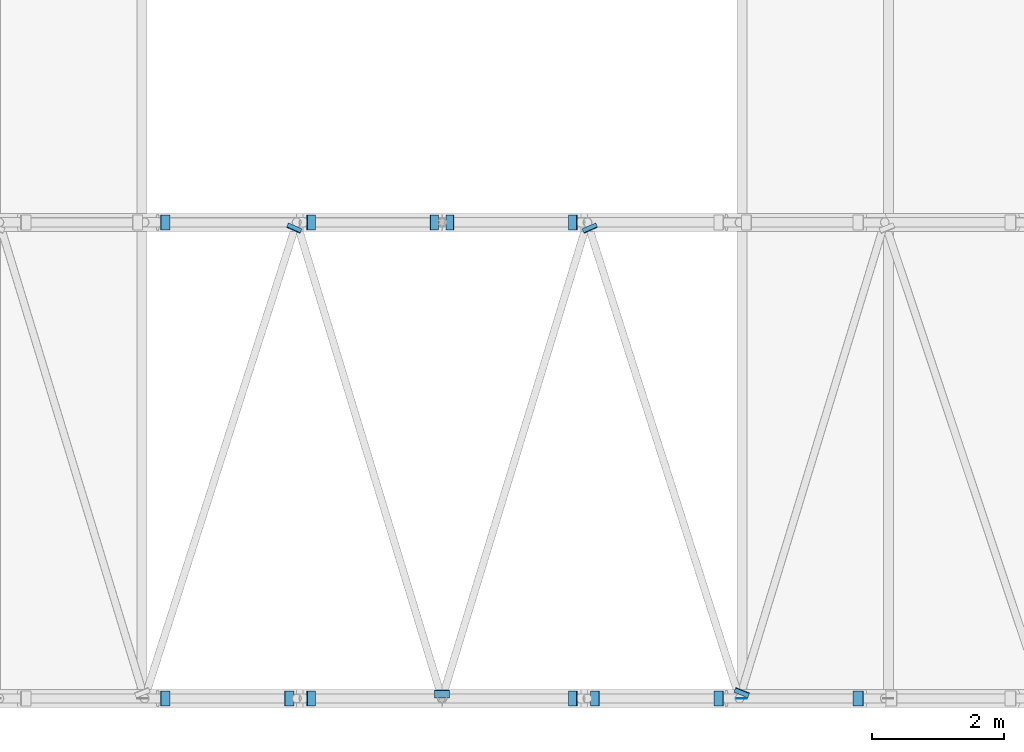
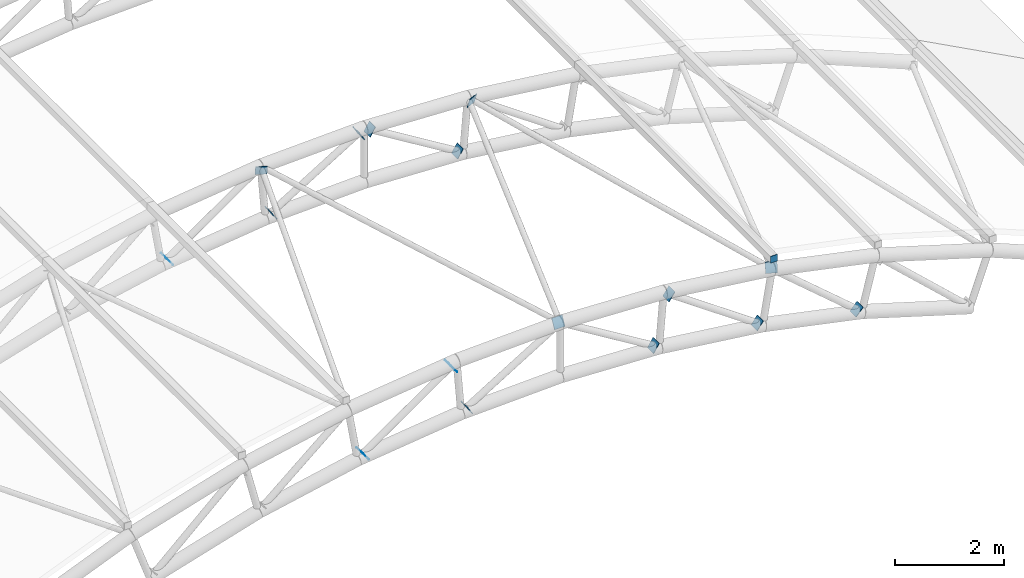
# One storey, part 72 of 92: 17 discrete accessories.
"""IFC4 building model written with IfcOpenShell, lengths in metres."""

import ifcopenshell
import ifcopenshell.guid

model = None  # the IFC model being written
_history = None  # IfcOwnerHistory: only IFC2X3 demands one
_inside = {}  # id of a spatial element -> (the spatial element, [elements in it])
_under = {}  # id of a project, library or spatial element -> (it, [spatial elements below it])
_declared = {}  # id of a project -> (the project, [libraries it declares])
_typed = {}  # id of a type object -> (the type object, [elements of that type])
_made_of = {}  # id of a material, layer set ... -> (it, [elements and type objects made of it])


def new_model(schema):
    """Start an empty IFC model of exactly this schema.

    Asked for "IFC4X3", IfcOpenShell would pick the latest addendum, in which some entities
    have other attributes; the version numbers below select the first issue.
    IFC2X3 requires an IfcOwnerHistory on every rooted entity: one is made here for all.
    """
    global model, _history
    if schema == "IFC4X3":
        model = ifcopenshell.file(schema_version=(4, 3, 0, 0))
    else:
        model = ifcopenshell.file(schema=schema)
    _inside.clear()
    _under.clear()
    _declared.clear()
    _typed.clear()
    _made_of.clear()
    _history = None
    if model.schema == "IFC2X3":
        org = make("IfcOrganization", Name="unknown")
        user = make(
            "IfcPersonAndOrganization",
            ThePerson=make("IfcPerson", FamilyName="unknown"),
            TheOrganization=org,
        )
        app = make(
            "IfcApplication",
            ApplicationDeveloper=org,
            Version="unknown",
            ApplicationFullName="unknown",
            ApplicationIdentifier="unknown",
        )
        _history = make(
            "IfcOwnerHistory",
            OwningUser=user,
            OwningApplication=app,
            ChangeAction="ADDED",
            CreationDate=0,
        )
    return model


def make(cls, **values):
    """One entity of the class cls with the attributes given. An attribute that is None is left unset."""
    return model.create_entity(
        cls, **{name: value for name, value in values.items() if value is not None}
    )


def rooted(cls, **values):
    """An entity with a GlobalId (a new one), such as an element, a storey or a relation."""
    return make(cls, GlobalId=ifcopenshell.guid.new(), OwnerHistory=_history, **values)


def si_unit(unit_type, name, prefix=None):
    """IfcSIUnit, for example si_unit("LENGTHUNIT", "METRE", prefix="MILLI")."""
    return make("IfcSIUnit", UnitType=unit_type, Prefix=prefix, Name=name)


def assignment(units):
    """IfcUnitAssignment: the units of a project."""
    return None if units is None else make("IfcUnitAssignment", Units=units)


def point(xyz):
    """IfcCartesianPoint."""
    return None if xyz is None else make("IfcCartesianPoint", Coordinates=xyz)


def direction(xyz):
    """IfcDirection."""
    return None if xyz is None else make("IfcDirection", DirectionRatios=xyz)


def frame(location, z_axis=None, x_axis=None):
    """IfcAxis2Placement3D, a coordinate frame: its origin and axes. An axis left out is left unset."""
    return make(
        "IfcAxis2Placement3D",
        Location=point(location),
        Axis=direction(z_axis),
        RefDirection=direction(x_axis),
    )


def frame_2d(location, x_axis=None):
    """IfcAxis2Placement2D, a coordinate frame in the plane: its origin and x axis."""
    return make(
        "IfcAxis2Placement2D", Location=point(location), RefDirection=direction(x_axis)
    )


def origin():
    """The frame at (0, 0, 0) with its axes left unset."""
    return frame((0.0, 0.0, 0.0))


def origin_2d():
    """The frame at (0, 0) in the plane with its x axis left unset."""
    return frame_2d((0.0, 0.0))


def place(relative_to, where):
    """IfcLocalPlacement: puts the frame where relative to a parent placement (None: the world)."""
    return make(
        "IfcLocalPlacement", PlacementRelTo=relative_to, RelativePlacement=where
    )


def context(
    kind, dimensions, precision=None, world=None, true_north=None, identifier=None
):
    """IfcGeometricRepresentationContext, for example the 3D "Model" context."""
    return make(
        "IfcGeometricRepresentationContext",
        ContextIdentifier=identifier,
        ContextType=kind,
        CoordinateSpaceDimension=dimensions,
        Precision=precision,
        WorldCoordinateSystem=world,
        TrueNorth=true_north,
    )


def subcontext(parent, identifier, kind, view, scale=None):
    """IfcGeometricRepresentationSubContext, for example "Body" below "Model"."""
    return make(
        "IfcGeometricRepresentationSubContext",
        ContextIdentifier=identifier,
        ContextType=kind,
        ParentContext=parent,
        TargetScale=scale,
        TargetView=view,
    )


def project(units=None, contexts=None):
    """IfcProject with its units and contexts."""
    return rooted(
        "IfcProject",
        Name="project",
        RepresentationContexts=contexts,
        UnitsInContext=assignment(units),
    )


def spatial(cls, under=None, at=None, **own):
    """A site, building, storey or space (cls), placed at a placement, below another one or the project."""
    s = rooted(cls, ObjectPlacement=at, **own)
    if under is not None:
        _under.setdefault(under.id(), (under, []))[1].append(s)
    return s


def profile(cls, at=None, kind="AREA", **sizes):
    """A parametric profile (cls). Its sizes go by their IFC names, for example OverallWidth=200.0."""
    return make(cls, ProfileType=kind, Position=at, **sizes)


def rectangle(**sizes):
    """IfcRectangleProfileDef."""
    return profile("IfcRectangleProfileDef", **sizes)


def extrude(swept, where, along, depth):
    """IfcExtrudedAreaSolid: the profile swept, set in the frame where, extruded along a direction by depth."""
    return make(
        "IfcExtrudedAreaSolid",
        SweptArea=swept,
        Position=where,
        ExtrudedDirection=direction(along),
        Depth=depth,
    )


def shape(context_of_items, identifier, shape_type, items):
    """IfcShapeRepresentation: the items that make up one representation, for example the "Body"."""
    return make(
        "IfcShapeRepresentation",
        ContextOfItems=context_of_items,
        RepresentationIdentifier=identifier,
        RepresentationType=shape_type,
        Items=items,
    )


def material(Name=None, Category=None):
    """IfcMaterial."""
    return make("IfcMaterial", Name=Name, Category=Category)


def material_profile(
    of_material, cross_section, Name=None, Category=None, Priority=None
):
    """IfcMaterialProfile: a cross section and its material."""
    return make(
        "IfcMaterialProfile",
        Name=Name,
        Material=of_material,
        Profile=cross_section,
        Priority=Priority,
        Category=Category,
    )


def profile_set(profiles, Name=None, composite=None):
    """IfcMaterialProfileSet."""
    return make(
        "IfcMaterialProfileSet",
        Name=Name,
        MaterialProfiles=profiles,
        CompositeProfile=composite,
    )


def made_of(thing, what):
    """Note that an element or type object is made of a material, layer set ...; save() writes the relation."""
    if what is not None:
        _made_of.setdefault(what.id(), (what, []))[1].append(thing)
    return thing


def type_object(cls, material=None, **own):
    """A type object (cls), such as IfcWallType, which elements share."""
    return made_of(rooted(cls, **own), material)


def element(
    cls,
    number,
    at=None,
    inside=None,
    cuts=None,
    type_object=None,
    material=None,
    context=None,
    identifier="Body",
    shape_type=None,
    held_by="IfcProductDefinitionShape",
    body=None,
    shapes=None,
    **own,
):
    """One element of the class cls, such as IfcWall. Its Tag is "e" and its number.

    at: its placement. inside: the storey or other place that contains it. cuts: it is an
    opening in that element (IfcRelVoidsElement). A single representation is given by context,
    identifier, shape_type and body (its items); several are given by shapes. held_by: the class
    of the entity that holds the representations. save() writes the other relations.
    """
    e = rooted(cls, Tag="e%d" % number, ObjectPlacement=at, **own)
    if body is not None:
        shapes = [shape(context, identifier, shape_type, body)]
    if shapes is not None:
        e.Representation = make(held_by, Representations=shapes)
    if inside is not None:
        _inside.setdefault(inside.id(), (inside, []))[1].append(e)
    if cuts is not None:
        rooted(
            "IfcRelVoidsElement", RelatingBuildingElement=cuts, RelatedOpeningElement=e
        )
    if type_object is not None:
        _typed.setdefault(type_object.id(), (type_object, []))[1].append(e)
    return made_of(e, material)


def aggregate(whole, parts):
    """IfcRelAggregates: a whole, such as a stair, and the parts it consists of."""
    return rooted("IfcRelAggregates", RelatingObject=whole, RelatedObjects=parts)


def save(model, path):
    """Write the relations noted so far, then the file.

    IfcRelAggregates (storeys below a building ...), IfcRelContainedInSpatialStructure (elements
    in a storey), IfcRelDefinesByType, IfcRelAssociatesMaterial and IfcRelDeclares: one each for
    every whole, place, type object, material and project.
    """
    for whole, parts in _under.values():
        aggregate(whole, parts)
    for where, things in _inside.values():
        rooted(
            "IfcRelContainedInSpatialStructure",
            RelatedElements=things,
            RelatingStructure=where,
        )
    for kind, things in _typed.values():
        rooted("IfcRelDefinesByType", RelatedObjects=things, RelatingType=kind)
    for what, things in _made_of.values():
        rooted("IfcRelAssociatesMaterial", RelatedObjects=things, RelatingMaterial=what)
    for by, libraries in _declared.values():
        rooted("IfcRelDeclares", RelatingContext=by, RelatedDefinitions=libraries)
    model.write(path)


model = new_model("IFC4")

# Units and contexts
model_context = context("Model", 3, precision=1e-05, world=origin(), true_north=direction((0.0, 1.0)))
body_context = subcontext(model_context, "Body", "Model", "MODEL_VIEW")
ifc_project = project(units=[si_unit("LENGTHUNIT", "METRE"), si_unit("AREAUNIT", "SQUARE_METRE"), si_unit("VOLUMEUNIT", "CUBIC_METRE"), si_unit("PLANEANGLEUNIT", "RADIAN"), si_unit("MASSUNIT", "GRAM", prefix="KILO")], contexts=[model_context])

# Site, building, storey
site_placement = place(None, origin())
site = spatial("IfcSite", under=ifc_project, at=site_placement, CompositionType="ELEMENT")
building_placement = place(site_placement, origin())
building = spatial("IfcBuilding", under=site, at=building_placement, Name="Laocheng Heights Fire and Rescue Headquarters", CompositionType="ELEMENT")
storey_placement = place(building_placement, frame((0.0, 0.0, 12.60009765625)))
storey = spatial("IfcBuildingStorey", under=building, at=storey_placement, Name="L03", CompositionType="ELEMENT", Elevation=12.60009765625)

# Discrete accessories
ifc_material_1 = material(Name="Steel Q355B", Category="steel")
ifc_material_profile_1 = material_profile(ifc_material_1, rectangle(XDim=0.14990234375, YDim=0.14990234375, at=origin_2d()), Name="END CAP PLATE 150 x 150 x 8 FOR BAY ROOF PURLIN SHS 150x150x8")
ifc_profile_set_1 = profile_set([ifc_material_profile_1], Name="Steel Q355B")
discrete_accessory_type_1 = type_object("IfcDiscreteAccessoryType", Name="END CAP PLATE 150 x 150 x 8 FOR BAY ROOF PURLIN SHS 150x150x8", PredefinedType="BRACKET", material=ifc_profile_set_1)
discrete_accessory_placement = place(storey_placement, frame((40.534912109375, -0.008056640625, 4.047119140625), z_axis=(0.0, 1.0, 0.0), x_axis=(-1.0, 0.0, 0.0)))
element("IfcDiscreteAccessory", 1, at=discrete_accessory_placement, inside=storey, type_object=discrete_accessory_type_1, Name="Cap plate at Purlin 11.1 end 1", PredefinedType="BRACKET", context=body_context, shape_type="SweptSolid", body=[
    extrude(rectangle(XDim=0.14990234375, YDim=0.14990234375, at=origin_2d()), origin(), (0.0, 0.0, 1.0), 0.008056640625),
])
ifc_material_2 = material(Name="Steel Q355B, dark grey painted", Category="steel")
ifc_material_profile_2 = material_profile(ifc_material_2, rectangle(XDim=0.22509765625, YDim=0.22509765625, at=origin_2d()), Name="GUSSET PLATE 225 x 225 x 12 FOR BAY ROOF DIAG CHS 139.7x6")
ifc_profile_set_2 = profile_set([ifc_material_profile_2], Name="Steel Q355B, dark grey painted")
discrete_accessory_type_2 = type_object("IfcDiscreteAccessoryType", Name="GUSSET PLATE 225 x 225 x 12 FOR BAY ROOF DIAG CHS 139.7x6", PredefinedType="BRACKET", material=ifc_profile_set_2)
for number, where, z_axis, x_axis, name in (
    (2, (31.809814453125, 0.0, 2.719482421875), (0.809610443394, 0.0, 0.586967571461), (0.0, 1.0, 0.0), "End plate at TR1-DG07 end 1"),
    (3, (33.683349609375, 0.0, 4.02734375), (0.819231920519, 0.0, 0.573462344363), (0.0, 1.0, 0.0), "End plate at TR1-DG07 end 2"),
    (4, (34.014404296875, 0.0, 2.98486328125), (0.84450857845, 0.0, 0.535542025358), (0.0, 1.0, 0.0), "End plate at TR1-DG08 end 1"),
    (5, (37.985595703125, 0.0, 2.98486328125), (-0.84450857845, 0.0, 0.535542025358), (0.0, -1.0, 0.0), "End plate at TR1-DG09 end 1"),
    (6, (40.190185546875, 0.0, 2.719482421875), (-0.809610443394, 0.0, 0.586967571461), (0.0, -1.0, 0.0), "End plate at TR1-DG10 end 1"),
    (7, (38.316650390625, 0.0, 4.02734375), (-0.819231920519, 0.0, 0.573462344363), (0.0, -1.0, 0.0), "End plate at TR1-DG10 end 2"),
    (8, (42.298095703125, 0.0, 2.289794921875), (-0.756363172452, 0.0, 0.654151932932), (0.0, -1.0, 0.0), "End plate at TR1-DG11 end 1"),
    (9, (31.809814453125, 7.199951171875, 2.719482421875), (0.809610443394, 0.0, 0.586967571461), (0.0, 1.0, 0.0), "End plate at TR2-DG07 end 1"),
    (10, (34.014404296875, 7.199951171875, 2.98486328125), (0.84450857845, 0.0, 0.535542025358), (0.0, 1.0, 0.0), "End plate at TR2-DG08 end 1"),
    (11, (35.87548828125, 7.199951171875, 4.123779296875), (0.85929288441, 0.0, 0.511483859768), (0.0, 1.0, 0.0), "End plate at TR2-DG08 end 2"),
    (12, (37.985595703125, 7.199951171875, 2.98486328125), (-0.84450857845, 0.0, 0.535542025358), (0.0, -1.0, 0.0), "End plate at TR2-DG09 end 1"),
    (13, (36.12451171875, 7.199951171875, 4.123779296875), (-0.85929288441, 0.0, 0.511483859768), (0.0, -1.0, 0.0), "End plate at TR2-DG09 end 2"),
):
    element("IfcDiscreteAccessory", number, at=place(storey_placement, frame(where, z_axis=z_axis, x_axis=x_axis)), inside=storey, type_object=discrete_accessory_type_2, Name=name, PredefinedType="BRACKET", context=body_context, shape_type="SweptSolid", body=[
        extrude(rectangle(XDim=0.22509765625, YDim=0.22509765625, at=origin_2d()), origin(), (0.0, 0.0, 1.0), 0.011962890625),
    ])
ifc_material_3 = material(Name="Steel Q355B, dark grey painted", Category="steel")
ifc_material_profile_3 = material_profile(ifc_material_3, rectangle(XDim=0.22509765625, YDim=0.22509765625, at=origin_2d()), Name="NODE PLATE 225 x 225 x 12 FOR BAY ROOF BRACE CHS 114.3x5")
ifc_profile_set_3 = profile_set([ifc_material_profile_3], Name="Steel Q355B, dark grey painted")
discrete_accessory_type_3 = type_object("IfcDiscreteAccessoryType", Name="NODE PLATE 225 x 225 x 12 FOR BAY ROOF BRACE CHS 114.3x5", PredefinedType="BRACKET", material=ifc_profile_set_3)
for number, where, z_axis, x_axis, name in (
    (14, (36.0, 0.061767578125, 4.16552734375), (0.0, 0.873197702015, -0.487366159264), (-1.0, 0.0, 0.0), "Node plate at BR08 end 1, BR09 end 1, TR1-DG08 end 2, TR1-DG09 end 2"),
    (15, (40.53076171875, 0.083740234375, 3.79736328125), (0.349717254755, 0.884578938498, -0.308574048313), (-0.929960720174, 0.367658889371, 0.0), "Node plate at BR10 end 1, BR11 end 1, TR1-DG11 end 2"),
    (16, (33.7666015625, 7.1162109375, 4.084716796875), (-0.387351988196, -0.876638710129, -0.285417254461), (0.914686604095, -0.404163848321, 0.0), "Node plate at BR07 end 2, BR08 end 2, TR2-DG07 end 2"),
    (17, (38.2333984375, 7.1162109375, 4.084716796875), (0.387351988196, -0.876638710129, -0.285417254461), (0.914686604095, 0.404163848321, 0.0), "Node plate at BR09 end 2, BR10 end 2, TR2-DG10 end 2"),
):
    element("IfcDiscreteAccessory", number, at=place(storey_placement, frame(where, z_axis=z_axis, x_axis=x_axis)), inside=storey, type_object=discrete_accessory_type_3, Name=name, PredefinedType="BRACKET", context=body_context, shape_type="SweptSolid", body=[
        extrude(rectangle(XDim=0.22509765625, YDim=0.22509765625, at=origin_2d()), origin(), (0.0, 0.0, 1.0), 0.011962890625),
    ])

save(model, "model.ifc")
